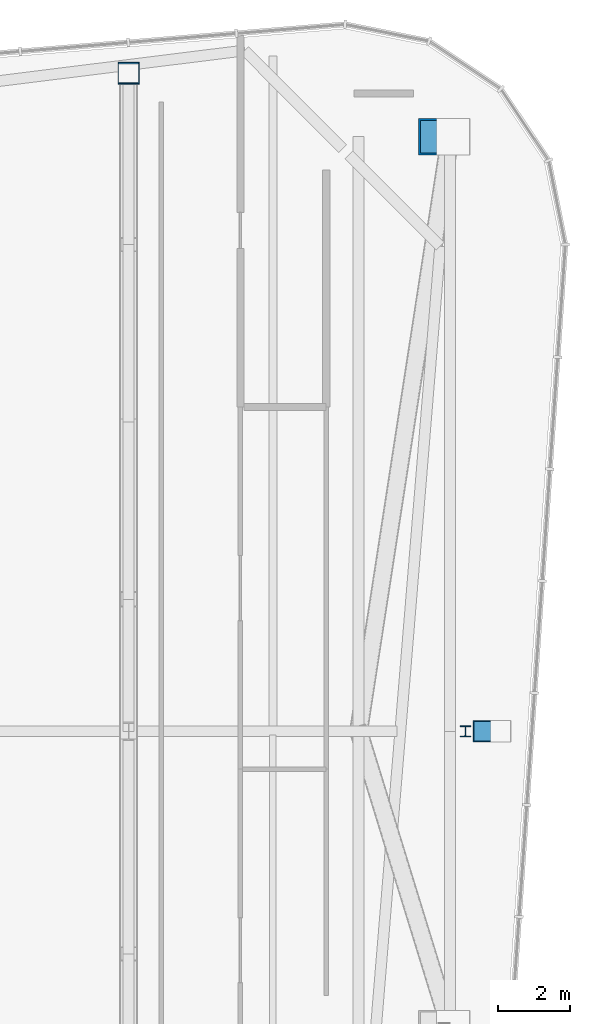
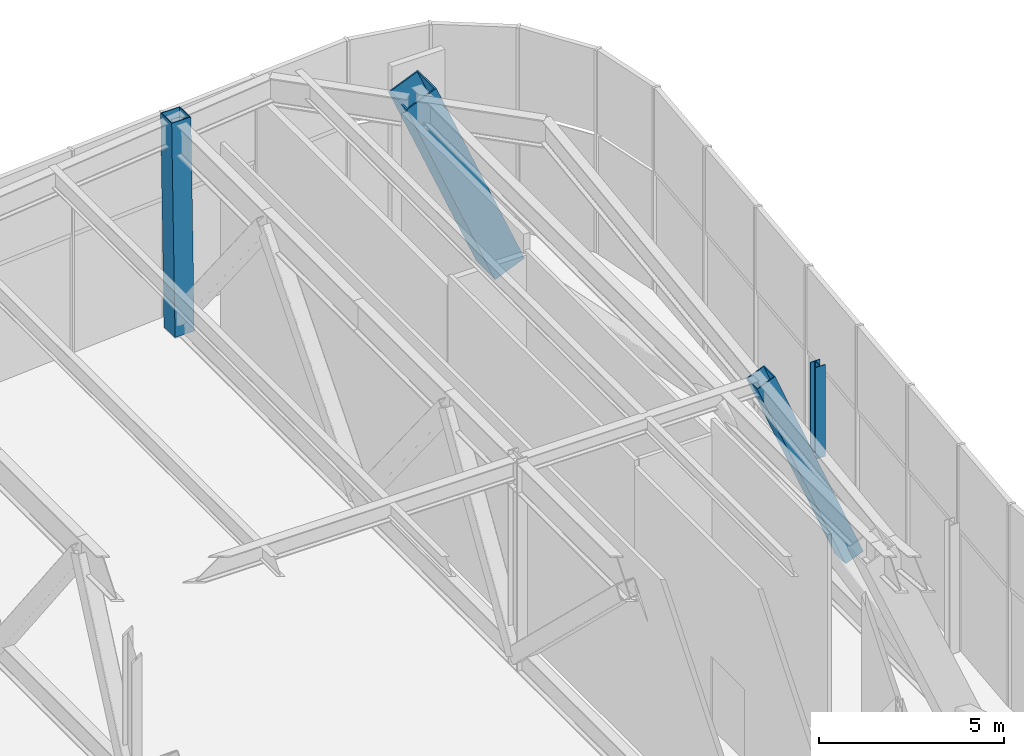
# One storey, part 4 of 17: 4 columns.
"""IFC4 building model written with IfcOpenShell, lengths in metres."""

from ifc_helpers import new_model, si_unit, direction, frame, origin, origin_2d, place, context, subcontext, project, spatial, hollow_rectangle, i_section, extrude, material, material_profile, profile_set, type_object, element, save


model = new_model("IFC4")

# Units and contexts
model_context = context("Model", 3, precision=1e-05, world=origin(), true_north=direction((0.0, 1.0)))
body_context = subcontext(model_context, "Body", "Model", "MODEL_VIEW")
ifc_project = project(units=[si_unit("LENGTHUNIT", "METRE"), si_unit("AREAUNIT", "SQUARE_METRE"), si_unit("VOLUMEUNIT", "CUBIC_METRE"), si_unit("PLANEANGLEUNIT", "RADIAN"), si_unit("MASSUNIT", "GRAM", prefix="KILO")], contexts=[model_context])

# Site, building, storey
site_placement = place(None, origin())
site = spatial("IfcSite", under=ifc_project, at=site_placement, CompositionType="ELEMENT")
building_placement = place(site_placement, origin())
building = spatial("IfcBuilding", under=site, at=building_placement, Name="Verdant Reach Tower", CompositionType="ELEMENT")
storey_placement = place(building_placement, frame((0.0, 0.0, 282.0)))
storey = spatial("IfcBuildingStorey", under=building, at=storey_placement, Name="L65 Plant", CompositionType="ELEMENT", Elevation=282.0)

# Columns
ifc_material = material(Name="Steel S460", Category="steel")
ifc_material_profile_1 = material_profile(ifc_material, hollow_rectangle(XDim=1.0, YDim=1.0, WallThickness=0.044921875, at=origin_2d()), Name="WB 1000x1000x45")
ifc_profile_set_1 = profile_set([ifc_material_profile_1], Name="Steel S460")
column_type_1 = type_object("IfcColumnType", Name="ST-COL-WB1000x1000x45", PredefinedType="COLUMN", material=ifc_profile_set_1)
column_1_placement = place(storey_placement, frame((21.0, 66.0, 0.22265625), z_axis=(-0.386877430339, 0.0, 0.922131147882), x_axis=(0.0, -1.0, 0.0)))
element("IfcColumn", 1, at=column_1_placement, inside=storey, type_object=column_type_1, Name="Mega column north-east, L65 Plant", PredefinedType="COLUMN", context=body_context, shape_type="SweptSolid", body=[
    extrude(hollow_rectangle(XDim=1.0, YDim=1.0, WallThickness=0.044921875, at=origin_2d()), origin(), (0.0, 0.0, 1.0), 7.108154296875),
])
ifc_material_profile_2 = material_profile(ifc_material, hollow_rectangle(XDim=0.60009765625, YDim=0.60009765625, WallThickness=0.02490234375, at=origin_2d()), Name="WB 600x600x25")
ifc_profile_set_2 = profile_set([ifc_material_profile_2], Name="Steel S460")
column_type_2 = type_object("IfcColumnType", Name="ST-COL-WB600x600x25", PredefinedType="COLUMN", material=ifc_profile_set_2)
column_2_placement = place(storey_placement, frame((12.0, 67.75, 0.02880859375), z_axis=(0.0, 0.025979412411, 0.999662478105), x_axis=(-1.0, 0.0, 0.0)))
element("IfcColumn", 2, at=column_2_placement, inside=storey, type_object=column_type_2, Name="Perimeter column north 2, L65 Plant", PredefinedType="COLUMN", context=body_context, shape_type="SweptSolid", body=[
    extrude(hollow_rectangle(XDim=0.60009765625, YDim=0.60009765625, WallThickness=0.02490234375, at=origin_2d()), origin(), (0.0, 0.0, 1.0), 6.94482421875),
])
column_3_placement = place(storey_placement, frame((22.319091796875, 49.5, 0.1416015625), z_axis=(-0.378894787682, 0.0, 0.925439754856), x_axis=(0.0, -1.0, 0.0)))
element("IfcColumn", 3, at=column_3_placement, inside=storey, type_object=column_type_2, Name="Perimeter column east 2, L65 Plant", PredefinedType="COLUMN", context=body_context, shape_type="SweptSolid", body=[
    extrude(hollow_rectangle(XDim=0.60009765625, YDim=0.60009765625, WallThickness=0.02490234375, at=origin_2d()), origin(), (0.0, 0.0, 1.0), 7.258056640625),
])
ifc_material_profile_3 = material_profile(ifc_material, i_section(OverallWidth=0.300048828125, OverallDepth=0.300048828125, WebThickness=0.010986328125, FlangeThickness=0.01904296875, FilletRadius=0.027099609375, at=origin_2d()), Name="HEB 300")
ifc_profile_set_3 = profile_set([ifc_material_profile_3], Name="Steel S460")
column_type_3 = type_object("IfcColumnType", Name="ST-DECK-POST-HEB300", PredefinedType="COLUMN", material=ifc_profile_set_3)
column_4_placement = place(storey_placement, frame((21.3466796875, 49.5, 3.6748046875), z_axis=(0.0, 0.0, 1.0), x_axis=(1.0, 0.0, 0.0)))
element("IfcColumn", 4, at=column_4_placement, inside=storey, type_object=column_type_3, Name="Terrace deck post, column P-E2, L65 Plant", PredefinedType="COLUMN", context=body_context, shape_type="SweptSolid", body=[
    extrude(i_section(OverallWidth=0.300048828125, OverallDepth=0.300048828125, WebThickness=0.010986328125, FlangeThickness=0.01904296875, FilletRadius=0.027099609375, at=origin_2d()), origin(), (0.0, 0.0, 1.0), 3.025146484375),
])

save(model, "model.ifc")
